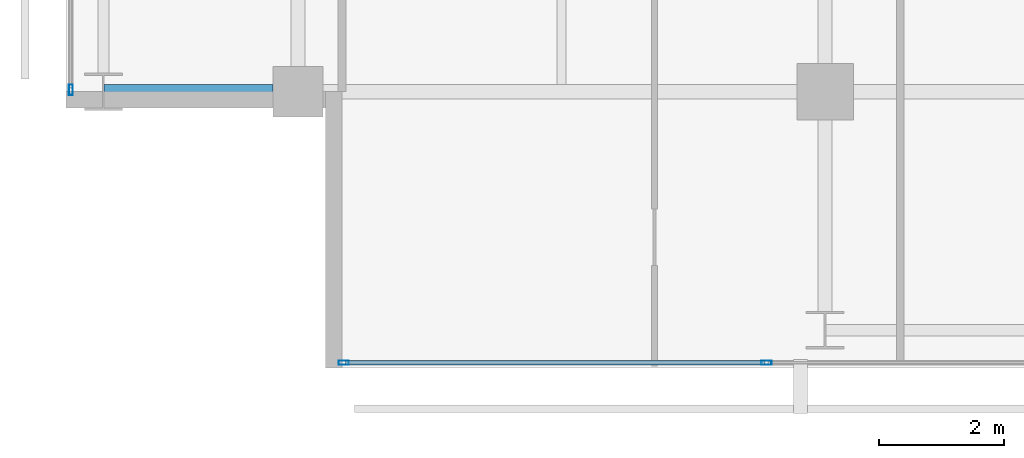
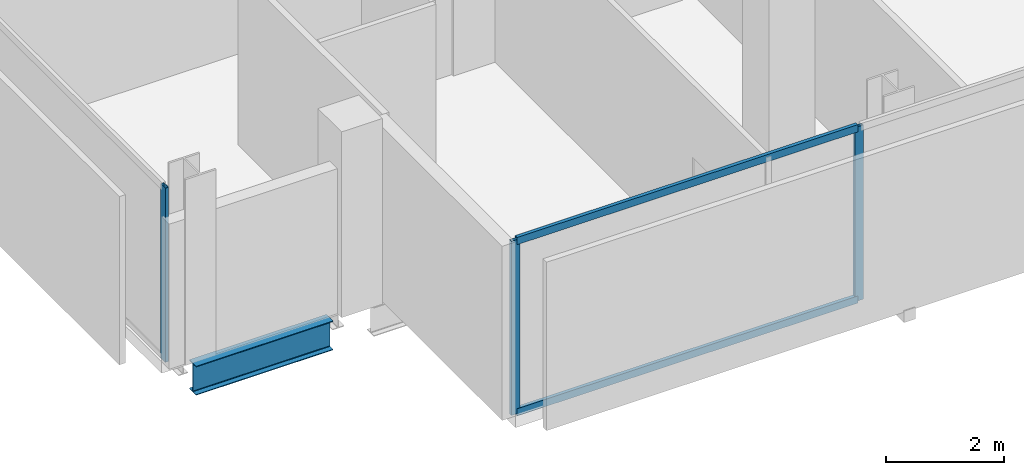
# One storey, part 2 of 34: 5 members, 1 beam, 2 elements without a shape of their own.
"""IFC4 building model written with IfcOpenShell, lengths in metres."""

from ifc_helpers import new_model, si_unit, direction, frame, origin, origin_2d, place, context, subcontext, project, spatial, hollow_rectangle, i_section, extrude, material, layer, layer_set, material_profile, profile_set, type_object, element, aggregate, save


model = new_model("IFC4")

# Units and contexts
model_context = context("Model", 3, precision=1e-05, world=origin(), true_north=direction((0.0, 1.0)))
body_context = subcontext(model_context, "Body", "Model", "MODEL_VIEW")
ifc_project = project(units=[si_unit("LENGTHUNIT", "METRE"), si_unit("AREAUNIT", "SQUARE_METRE"), si_unit("VOLUMEUNIT", "CUBIC_METRE"), si_unit("PLANEANGLEUNIT", "RADIAN"), si_unit("MASSUNIT", "GRAM", prefix="KILO")], contexts=[model_context])

# Site, building, storey
site_placement = place(None, origin())
site = spatial("IfcSite", under=ifc_project, at=site_placement, CompositionType="ELEMENT")
building_placement = place(site_placement, origin())
building = spatial("IfcBuilding", under=site, at=building_placement, Name="Maruvema Waterfront Hotel and Observation Tower", CompositionType="ELEMENT")
storey_placement = place(building_placement, frame((0.0, 0.0, 185.14990234375)))
storey = spatial("IfcBuildingStorey", under=building, at=storey_placement, Name="L45", CompositionType="ELEMENT", Elevation=185.14990234375)

# Curtain wall, members
ifc_material_1 = material(Name="Anodised bronze aluminium and solar-control low-E IGU", Category="aluminium")
ifc_layer = layer(ifc_material_1, 0.159912109375, Name="Zone 2 Amber Inner Thermal Curtain Wall System CW-03")
ifc_layer_set = layer_set([ifc_layer], Name="Anodised bronze aluminium and solar-control low-E IGU")
curtain_wall_type = type_object("IfcCurtainWallType", Name="Zone 2 Amber Inner Thermal Curtain Wall System CW-03", PredefinedType="USERDEFINED", material=ifc_layer_set)
curtain_wall_1_placement = place(storey_placement, origin())
curtain_wall_1 = element("IfcCurtainWall", 1, at=curtain_wall_1_placement, inside=storey, type_object=curtain_wall_type, Name="L45 Curtain Wall CW-L45-S", ObjectType="UNITISED CURTAIN WALL", PredefinedType="USERDEFINED")
ifc_material_2 = material(Name="Anodised architectural bronze aluminium", Category="aluminium")
ifc_material_profile_1 = material_profile(ifc_material_2, hollow_rectangle(XDim=0.070068359375, YDim=0.14990234375, WallThickness=0.00390625, at=origin_2d()), Name="ALU-T70x150")
ifc_profile_set_1 = profile_set([ifc_material_profile_1], Name="Anodised architectural bronze aluminium")
member_type_1 = type_object("IfcMemberType", Name="Curtain Wall Horizontal Transom ALU-T70x150", PredefinedType="USERDEFINED", material=ifc_profile_set_1)
member_1_placement = place(storey_placement, frame((17.56005859375, 4.679931640625, 0.030029296875), z_axis=(1.0, 0.0, 0.0), x_axis=(0.0, 1.0, 0.0)))
member_1 = element("IfcMember", 2, at=member_1_placement, type_object=member_type_1, Name="CW-03 transom 1.1", ObjectType="TRANSOM", PredefinedType="USERDEFINED", context=body_context, shape_type="SweptSolid", body=[
    extrude(hollow_rectangle(XDim=0.070068359375, YDim=0.14990234375, WallThickness=0.00390625, at=origin_2d()), origin(), (0.0, 0.0, 1.0), 6.676513671875),
])
member_2_placement = place(storey_placement, frame((17.56005859375, 4.679931640625, 3.580078125), z_axis=(1.0, 0.0, 0.0), x_axis=(0.0, 1.0, 0.0)))
member_2 = element("IfcMember", 3, at=member_2_placement, type_object=member_type_1, Name="CW-03 transom 1.2", ObjectType="TRANSOM", PredefinedType="USERDEFINED", context=body_context, shape_type="SweptSolid", body=[
    extrude(hollow_rectangle(XDim=0.070068359375, YDim=0.14990234375, WallThickness=0.00390625, at=origin_2d()), origin(), (0.0, 0.0, 1.0), 6.676513671875),
])
ifc_material_3 = material(Name="Anodised architectural bronze aluminium", Category="aluminium")
ifc_material_profile_2 = material_profile(ifc_material_3, hollow_rectangle(XDim=0.06494140625, YDim=0.1650390625, WallThickness=0.00390625, at=origin_2d()), Name="ALU-M65x165")
ifc_profile_set_2 = profile_set([ifc_material_profile_2], Name="Anodised architectural bronze aluminium")
member_type_2 = type_object("IfcMemberType", Name="Curtain Wall Primary Mullion ALU-M65x165", PredefinedType="MULLION", material=ifc_profile_set_2)
member_3_placement = place(storey_placement, frame((17.530029296875, 4.679931640625, 0.0), z_axis=(0.0, 0.0, 1.0), x_axis=(0.0, 1.0, 0.0)))
member_3 = element("IfcMember", 4, at=member_3_placement, type_object=member_type_2, Name="CW-03 mullion 1", PredefinedType="MULLION", context=body_context, shape_type="SweptSolid", body=[
    extrude(hollow_rectangle(XDim=0.06494140625, YDim=0.1650390625, WallThickness=0.00390625, at=origin_2d()), origin(), (0.0, 0.0, 1.0), 3.610107421875),
])
member_4_placement = place(storey_placement, frame((24.2666015625, 4.679931640625, 0.0), z_axis=(0.0, 0.0, 1.0), x_axis=(0.0, 1.0, 0.0)))
member_4 = element("IfcMember", 5, at=member_4_placement, type_object=member_type_2, Name="CW-03 mullion 2", PredefinedType="MULLION", context=body_context, shape_type="SweptSolid", body=[
    extrude(hollow_rectangle(XDim=0.06494140625, YDim=0.1650390625, WallThickness=0.00390625, at=origin_2d()), origin(), (0.0, 0.0, 1.0), 3.610107421875),
])
aggregate(curtain_wall_1, [member_3, member_4, member_1, member_2])

# Curtain wall, member
curtain_wall_2_placement = place(storey_placement, origin())
curtain_wall_2 = element("IfcCurtainWall", 6, at=curtain_wall_2_placement, inside=storey, type_object=curtain_wall_type, Name="L45 Curtain Wall CW-L45-W", ObjectType="UNITISED CURTAIN WALL", PredefinedType="USERDEFINED")
member_5_placement = place(storey_placement, frame((13.179931640625, 9.030029296875, 0.0), z_axis=(0.0, 0.0, 1.0), x_axis=(1.0, 0.0, 0.0)))
member_5 = element("IfcMember", 7, at=member_5_placement, type_object=member_type_2, Name="CW-03 mullion 7", PredefinedType="MULLION", context=body_context, shape_type="SweptSolid", body=[
    extrude(hollow_rectangle(XDim=0.06494140625, YDim=0.1650390625, WallThickness=0.00390625, at=origin_2d()), origin(), (0.0, 0.0, 1.0), 3.610107421875),
])
aggregate(curtain_wall_2, [member_5])

# Beam
ifc_material_4 = material(Name="Steel ASTM A572 Grade 50", Category="steel")
ifc_material_profile_3 = material_profile(ifc_material_4, i_section(OverallWidth=0.22802734375, OverallDepth=0.60302734375, WebThickness=0.010498046875, FlangeThickness=0.014892578125, FilletRadius=0.01806640625, at=origin_2d()), Name="W610x101.0")
ifc_profile_set_3 = profile_set([ifc_material_profile_3], Name="Steel ASTM A572 Grade 50")
beam_type = type_object("IfcBeamType", Name="Primary Floor Girder W610x101.0", PredefinedType="BEAM", material=ifc_profile_set_3)
beam_placement = place(storey_placement, frame((13.71240234375, 9.0, -0.54150390625), z_axis=(1.0, 0.0, 0.0), x_axis=(0.0, 1.0, 0.0)))
element("IfcBeam", 8, at=beam_placement, inside=storey, type_object=beam_type, Name="L45 Floor Girder EW-04", PredefinedType="BEAM", context=body_context, shape_type="SweptSolid", body=[
    extrude(i_section(OverallWidth=0.22802734375, OverallDepth=0.60302734375, WebThickness=0.010498046875, FlangeThickness=0.014892578125, FilletRadius=0.01806640625, at=origin_2d()), origin(), (0.0, 0.0, 1.0), 2.6875),
])

save(model, "model.ifc")
